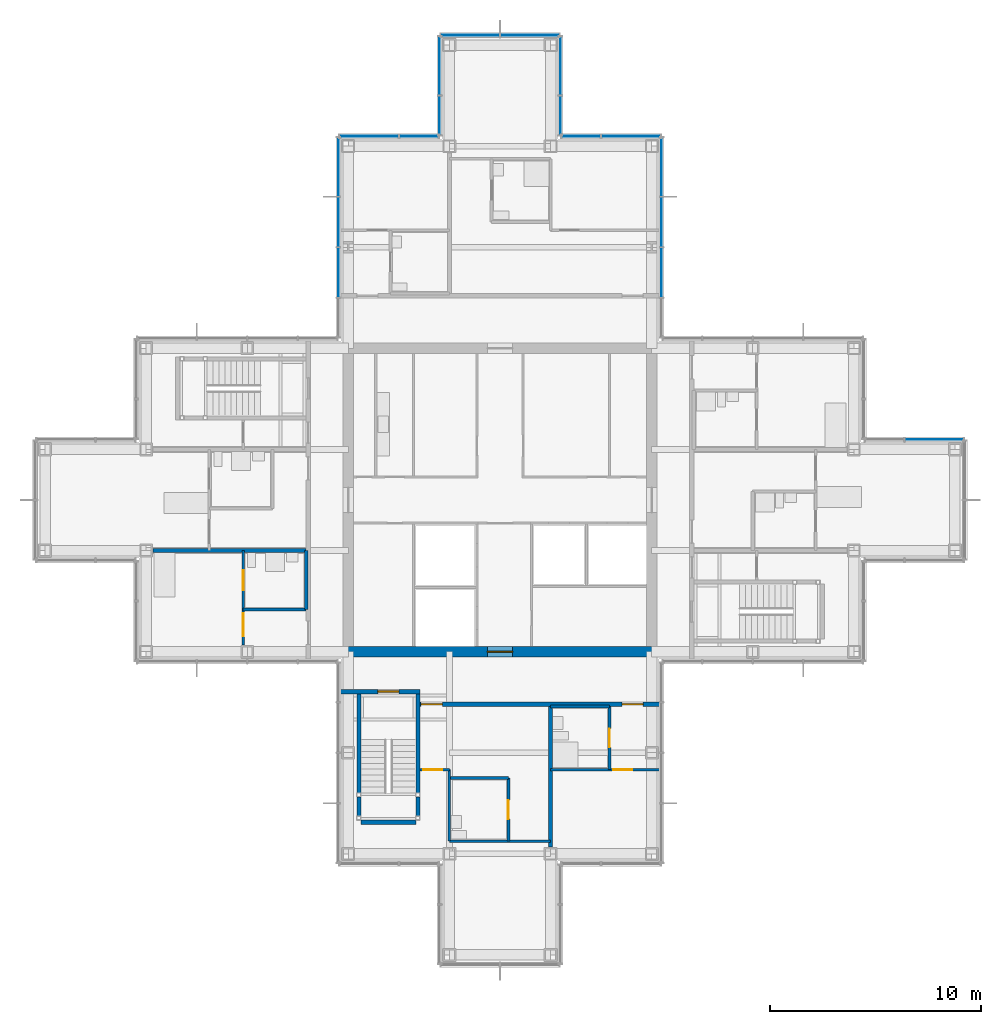
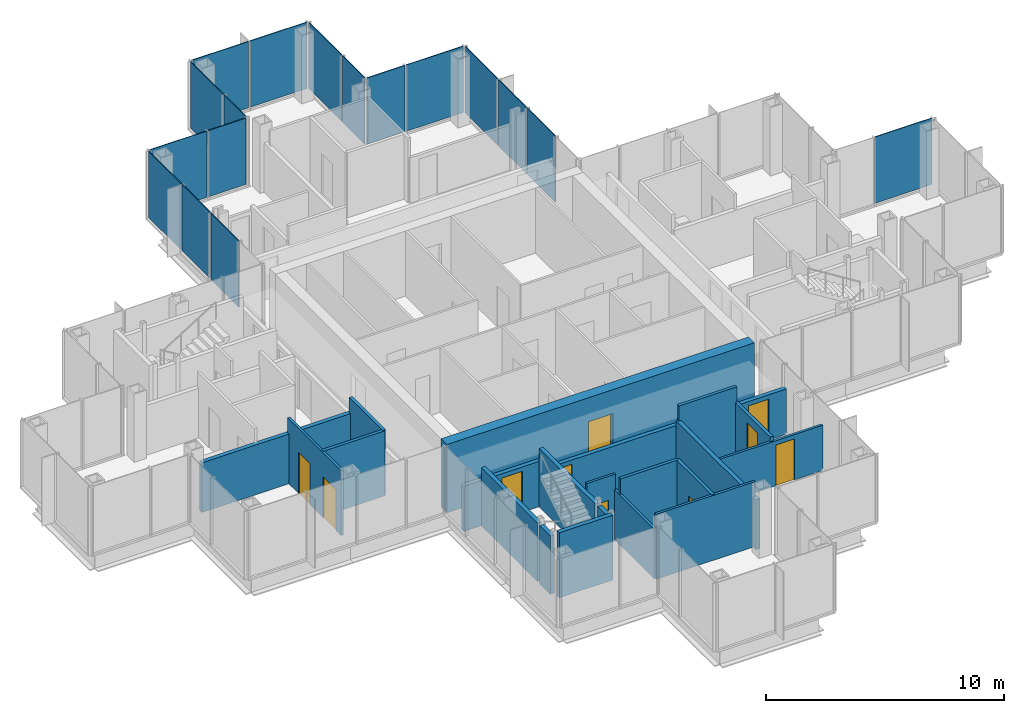
# One storey, part 11 of 17: 21 walls, 17 plates, 10 doors, 10 openings, 8 elements without a shape of their own.
"""IFC4 building model written with IfcOpenShell, lengths in metres."""

from ifc_helpers import new_model, si_unit, direction, frame, frame_2d, origin, origin_2d, place, context, subcontext, project, spatial, rectangle, extrude, material, layer, layer_set, type_object, element, fill, aggregate, save


model = new_model("IFC4")

# Units and contexts
model_context = context("Model", 3, precision=1e-05, world=origin(), true_north=direction((0.0, 1.0)))
body_context = subcontext(model_context, "Body", "Model", "MODEL_VIEW")
ifc_project = project(units=[si_unit("LENGTHUNIT", "METRE"), si_unit("AREAUNIT", "SQUARE_METRE"), si_unit("VOLUMEUNIT", "CUBIC_METRE"), si_unit("PLANEANGLEUNIT", "RADIAN"), si_unit("MASSUNIT", "GRAM", prefix="KILO")], contexts=[model_context])

# Site, building, storey
site_placement = place(None, origin())
site = spatial("IfcSite", under=ifc_project, at=site_placement, CompositionType="ELEMENT")
building_placement = place(site_placement, origin())
building = spatial("IfcBuilding", under=site, at=building_placement, Name="Kvirike Care Tower", CompositionType="ELEMENT")
storey_placement = place(building_placement, frame((0.0, 0.0, 165.5)))
storey = spatial("IfcBuildingStorey", under=building, at=storey_placement, Name="L45", CompositionType="ELEMENT", Elevation=165.5)

# Curtain wall, plate
ifc_material_1 = material(Name="Anodised aluminium stick system", Category="aluminium")
curtain_wall_type = type_object("IfcCurtainWallType", Name="CW-C STICK CURTAIN WALL", PredefinedType="NOTDEFINED", material=ifc_material_1)
curtain_wall_1_placement = place(storey_placement, origin())
curtain_wall_1 = element("IfcCurtainWall", 1, at=curtain_wall_1_placement, inside=storey, type_object=curtain_wall_type, Name="Curtain wall L45 face 5", PredefinedType="NOTDEFINED")
ifc_material_2 = material(Name="Tinted double glazed unit", Category="glass")
ifc_layer_1 = layer(ifc_material_2, 0.0400390625)
ifc_layer_set_1 = layer_set([ifc_layer_1], Name="TINTED VISION PANEL 40")
plate_type = type_object("IfcPlateType", Name="TINTED VISION PANEL 40", PredefinedType="CURTAIN_PANEL", material=ifc_layer_set_1)
plate_1_placement = place(storey_placement, frame((42.21875, 38.8701171875, 0.10009765625), z_axis=(0.0, 0.0, 1.0), x_axis=(-1.0, 0.0, 0.0)))
plate_1 = element("IfcPlate", 2, at=plate_1_placement, type_object=plate_type, Name="CW-C panel L45 face 5.1", PredefinedType="CURTAIN_PANEL", context=body_context, shape_type="SweptSolid", body=[
    extrude(rectangle(XDim=2.7724609375, YDim=0.0400390625, at=origin_2d()), origin(), (0.0, 0.0, 1.0), 3.39990234375),
])
aggregate(curtain_wall_1, [plate_1])

# Curtain wall, plates
curtain_wall_2_placement = place(storey_placement, origin())
curtain_wall_2 = element("IfcCurtainWall", 3, at=curtain_wall_2_placement, inside=storey, type_object=curtain_wall_type, Name="Curtain wall L45 face 8", PredefinedType="NOTDEFINED")
plate_2_placement = place(storey_placement, frame((29.27001953125, 46.800048828125, 0.10009765625), z_axis=(0.0, 0.0, 1.0), x_axis=(0.0, 1.0, 0.0)))
plate_2 = element("IfcPlate", 4, at=plate_2_placement, type_object=plate_type, Name="CW-C panel L45 face 8.2", PredefinedType="CURTAIN_PANEL", context=body_context, shape_type="SweptSolid", body=[
    extrude(rectangle(XDim=2.3349609375, YDim=0.0400390625, at=origin_2d()), origin(), (0.0, 0.0, 1.0), 3.39990234375),
])
plate_3_placement = place(storey_placement, frame((29.27001953125, 49.199951171875, 0.10009765625), z_axis=(0.0, 0.0, 1.0), x_axis=(0.0, 1.0, 0.0)))
plate_3 = element("IfcPlate", 5, at=plate_3_placement, type_object=plate_type, Name="CW-C panel L45 face 8.3", PredefinedType="CURTAIN_PANEL", context=body_context, shape_type="SweptSolid", body=[
    extrude(rectangle(XDim=2.3349609375, YDim=0.0400390625, at=origin_2d()), origin(), (0.0, 0.0, 1.0), 3.39990234375),
])
plate_4_placement = place(storey_placement, frame((29.27001953125, 51.81884765625, 0.10009765625), z_axis=(0.0, 0.0, 1.0), x_axis=(0.0, 1.0, 0.0)))
plate_4 = element("IfcPlate", 6, at=plate_4_placement, type_object=plate_type, Name="CW-C panel L45 face 8.4", PredefinedType="CURTAIN_PANEL", context=body_context, shape_type="SweptSolid", body=[
    extrude(rectangle(XDim=2.7724609375, YDim=0.0400390625, at=origin_2d()), origin(), (0.0, 0.0, 1.0), 3.39990234375),
])
aggregate(curtain_wall_2, [plate_2, plate_3, plate_4])

curtain_wall_3_placement = place(storey_placement, origin())
curtain_wall_3 = element("IfcCurtainWall", 7, at=curtain_wall_3_placement, inside=storey, type_object=curtain_wall_type, Name="Curtain wall L45 face 9", PredefinedType="NOTDEFINED")
plate_5_placement = place(storey_placement, frame((27.81884765625, 53.27001953125, 0.10009765625), z_axis=(0.0, 0.0, 1.0), x_axis=(-1.0, 0.0, 0.0)))
plate_5 = element("IfcPlate", 8, at=plate_5_placement, type_object=plate_type, Name="CW-C panel L45 face 9.1", PredefinedType="CURTAIN_PANEL", context=body_context, shape_type="SweptSolid", body=[
    extrude(rectangle(XDim=2.7724609375, YDim=0.0400390625, at=origin_2d()), origin(), (0.0, 0.0, 1.0), 3.39990234375),
])
plate_6_placement = place(storey_placement, frame((25.451171875, 53.27001953125, 0.10009765625), z_axis=(0.0, 0.0, 1.0), x_axis=(-1.0, 0.0, 0.0)))
plate_6 = element("IfcPlate", 9, at=plate_6_placement, type_object=plate_type, Name="CW-C panel L45 face 9.2", PredefinedType="CURTAIN_PANEL", context=body_context, shape_type="SweptSolid", body=[
    extrude(rectangle(XDim=1.83251953125, YDim=0.0400390625, at=origin_2d()), origin(), (0.0, 0.0, 1.0), 3.39990234375),
])
aggregate(curtain_wall_3, [plate_5, plate_6])

curtain_wall_4_placement = place(storey_placement, origin())
curtain_wall_4 = element("IfcCurtainWall", 10, at=curtain_wall_4_placement, inside=storey, type_object=curtain_wall_type, Name="Curtain wall L45 face 10", PredefinedType="NOTDEFINED")
plate_7_placement = place(storey_placement, frame((24.469970703125, 54.251220703125, 0.10009765625), z_axis=(0.0, 0.0, 1.0), x_axis=(0.0, 1.0, 0.0)))
plate_7 = element("IfcPlate", 11, at=plate_7_placement, type_object=plate_type, Name="CW-C panel L45 face 10.1", PredefinedType="CURTAIN_PANEL", context=body_context, shape_type="SweptSolid", body=[
    extrude(rectangle(XDim=1.83251953125, YDim=0.0400390625, at=origin_2d()), origin(), (0.0, 0.0, 1.0), 3.39990234375),
])
plate_8_placement = place(storey_placement, frame((24.469970703125, 56.61865234375, 0.10009765625), z_axis=(0.0, 0.0, 1.0), x_axis=(0.0, 1.0, 0.0)))
plate_8 = element("IfcPlate", 12, at=plate_8_placement, type_object=plate_type, Name="CW-C panel L45 face 10.2", PredefinedType="CURTAIN_PANEL", context=body_context, shape_type="SweptSolid", body=[
    extrude(rectangle(XDim=2.7724609375, YDim=0.0400390625, at=origin_2d()), origin(), (0.0, 0.0, 1.0), 3.39990234375),
])
aggregate(curtain_wall_4, [plate_7, plate_8])

curtain_wall_5_placement = place(storey_placement, origin())
curtain_wall_5 = element("IfcCurtainWall", 13, at=curtain_wall_5_placement, inside=storey, type_object=curtain_wall_type, Name="Curtain wall L45 face 11", PredefinedType="NOTDEFINED")
plate_9_placement = place(storey_placement, frame((23.018798828125, 58.070068359375, 0.10009765625), z_axis=(0.0, 0.0, 1.0), x_axis=(-1.0, 0.0, 0.0)))
plate_9 = element("IfcPlate", 14, at=plate_9_placement, type_object=plate_type, Name="CW-C panel L45 face 11.1", PredefinedType="CURTAIN_PANEL", context=body_context, shape_type="SweptSolid", body=[
    extrude(rectangle(XDim=2.7724609375, YDim=0.0400390625, at=origin_2d()), origin(), (0.0, 0.0, 1.0), 3.39990234375),
])
plate_10_placement = place(storey_placement, frame((20.18115234375, 58.070068359375, 0.10009765625), z_axis=(0.0, 0.0, 1.0), x_axis=(-1.0, 0.0, 0.0)))
plate_10 = element("IfcPlate", 15, at=plate_10_placement, type_object=plate_type, Name="CW-C panel L45 face 11.2", PredefinedType="CURTAIN_PANEL", context=body_context, shape_type="SweptSolid", body=[
    extrude(rectangle(XDim=2.7724609375, YDim=0.0400390625, at=origin_2d()), origin(), (0.0, 0.0, 1.0), 3.39990234375),
])
aggregate(curtain_wall_5, [plate_9, plate_10])

curtain_wall_6_placement = place(storey_placement, origin())
curtain_wall_6 = element("IfcCurtainWall", 16, at=curtain_wall_6_placement, inside=storey, type_object=curtain_wall_type, Name="Curtain wall L45 face 12", PredefinedType="NOTDEFINED")
plate_11_placement = place(storey_placement, frame((18.72998046875, 56.61865234375, 0.10009765625), z_axis=(0.0, 0.0, 1.0), x_axis=(0.0, -1.0, 0.0)))
plate_11 = element("IfcPlate", 17, at=plate_11_placement, type_object=plate_type, Name="CW-C panel L45 face 12.1", PredefinedType="CURTAIN_PANEL", context=body_context, shape_type="SweptSolid", body=[
    extrude(rectangle(XDim=2.7724609375, YDim=0.0400390625, at=origin_2d()), origin(), (0.0, 0.0, 1.0), 3.39990234375),
])
plate_12_placement = place(storey_placement, frame((18.72998046875, 54.251220703125, 0.10009765625), z_axis=(0.0, 0.0, 1.0), x_axis=(0.0, -1.0, 0.0)))
plate_12 = element("IfcPlate", 18, at=plate_12_placement, type_object=plate_type, Name="CW-C panel L45 face 12.2", PredefinedType="CURTAIN_PANEL", context=body_context, shape_type="SweptSolid", body=[
    extrude(rectangle(XDim=1.83251953125, YDim=0.0400390625, at=origin_2d()), origin(), (0.0, 0.0, 1.0), 3.39990234375),
])
aggregate(curtain_wall_6, [plate_11, plate_12])

curtain_wall_7_placement = place(storey_placement, origin())
curtain_wall_7 = element("IfcCurtainWall", 19, at=curtain_wall_7_placement, inside=storey, type_object=curtain_wall_type, Name="Curtain wall L45 face 13", PredefinedType="NOTDEFINED")
plate_13_placement = place(storey_placement, frame((17.748779296875, 53.27001953125, 0.10009765625), z_axis=(0.0, 0.0, 1.0), x_axis=(-1.0, 0.0, 0.0)))
plate_13 = element("IfcPlate", 20, at=plate_13_placement, type_object=plate_type, Name="CW-C panel L45 face 13.1", PredefinedType="CURTAIN_PANEL", context=body_context, shape_type="SweptSolid", body=[
    extrude(rectangle(XDim=1.83251953125, YDim=0.0400390625, at=origin_2d()), origin(), (0.0, 0.0, 1.0), 3.39990234375),
])
plate_14_placement = place(storey_placement, frame((15.38134765625, 53.27001953125, 0.10009765625), z_axis=(0.0, 0.0, 1.0), x_axis=(-1.0, 0.0, 0.0)))
plate_14 = element("IfcPlate", 21, at=plate_14_placement, type_object=plate_type, Name="CW-C panel L45 face 13.2", PredefinedType="CURTAIN_PANEL", context=body_context, shape_type="SweptSolid", body=[
    extrude(rectangle(XDim=2.7724609375, YDim=0.0400390625, at=origin_2d()), origin(), (0.0, 0.0, 1.0), 3.39990234375),
])
aggregate(curtain_wall_7, [plate_13, plate_14])

curtain_wall_8_placement = place(storey_placement, origin())
curtain_wall_8 = element("IfcCurtainWall", 22, at=curtain_wall_8_placement, inside=storey, type_object=curtain_wall_type, Name="Curtain wall L45 face 14", PredefinedType="NOTDEFINED")
plate_15_placement = place(storey_placement, frame((13.929931640625, 51.81884765625, 0.10009765625), z_axis=(0.0, 0.0, 1.0), x_axis=(0.0, -1.0, 0.0)))
plate_15 = element("IfcPlate", 23, at=plate_15_placement, type_object=plate_type, Name="CW-C panel L45 face 14.1", PredefinedType="CURTAIN_PANEL", context=body_context, shape_type="SweptSolid", body=[
    extrude(rectangle(XDim=2.7724609375, YDim=0.0400390625, at=origin_2d()), origin(), (0.0, 0.0, 1.0), 3.39990234375),
])
plate_16_placement = place(storey_placement, frame((13.929931640625, 49.199951171875, 0.10009765625), z_axis=(0.0, 0.0, 1.0), x_axis=(0.0, -1.0, 0.0)))
plate_16 = element("IfcPlate", 24, at=plate_16_placement, type_object=plate_type, Name="CW-C panel L45 face 14.2", PredefinedType="CURTAIN_PANEL", context=body_context, shape_type="SweptSolid", body=[
    extrude(rectangle(XDim=2.3349609375, YDim=0.0400390625, at=origin_2d()), origin(), (0.0, 0.0, 1.0), 3.39990234375),
])
plate_17_placement = place(storey_placement, frame((13.929931640625, 46.800048828125, 0.10009765625), z_axis=(0.0, 0.0, 1.0), x_axis=(0.0, -1.0, 0.0)))
plate_17 = element("IfcPlate", 25, at=plate_17_placement, type_object=plate_type, Name="CW-C panel L45 face 14.3", PredefinedType="CURTAIN_PANEL", context=body_context, shape_type="SweptSolid", body=[
    extrude(rectangle(XDim=2.3349609375, YDim=0.0400390625, at=origin_2d()), origin(), (0.0, 0.0, 1.0), 3.39990234375),
])
aggregate(curtain_wall_8, [plate_15, plate_16, plate_17])

# Walls
ifc_material_3 = material(Name="Moisture-resistant board partition", Category="gypsum")
ifc_layer_2 = layer(ifc_material_3, 0.14990234375)
ifc_layer_set_2 = layer_set([ifc_layer_2], Name="BATHROOM WALL 150")
wall_type_1 = type_object("IfcWallType", Name="BATHROOM WALL 150", PredefinedType="PARTITIONING", material=ifc_layer_set_2)
wall_1_placement = place(storey_placement, frame((9.39990234375, 30.800048828125, 0.0), z_axis=(0.0, 0.0, 1.0), x_axis=(1.0, 0.0, 0.0)))
element("IfcWall", 26, at=wall_1_placement, inside=storey, type_object=wall_type_1, Name="Bathroom Wall 150 L45", PredefinedType="PARTITIONING", context=body_context, shape_type="SweptSolid", body=[
    extrude(rectangle(XDim=3.0, YDim=0.14990234375, at=frame_2d((1.5, 0.0))), origin(), (0.0, 0.0, 1.0), 3.330078125),
])
wall_2_placement = place(storey_placement, frame((12.39990234375, 33.60009765625, 0.0), z_axis=(0.0, 0.0, 1.0), x_axis=(0.0, -1.0, 0.0)))
element("IfcWall", 27, at=wall_2_placement, inside=storey, type_object=wall_type_1, Name="Bathroom Wall 150 L45", PredefinedType="PARTITIONING", context=body_context, shape_type="SweptSolid", body=[
    extrude(rectangle(XDim=2.800048828125, YDim=0.14990234375, at=frame_2d((1.39990234375, 0.0))), origin(), (0.0, 0.0, 1.0), 3.330078125),
])

# Wall, opening, door
wall_3_placement = place(storey_placement, frame((22.0, 19.800048828125, 0.0), z_axis=(0.0, 0.0, 1.0), x_axis=(0.0, 1.0, 0.0)))
wall_3 = element("IfcWall", 28, at=wall_3_placement, inside=storey, type_object=wall_type_1, Name="Bathroom Wall 150 L45", PredefinedType="PARTITIONING", context=body_context, shape_type="SweptSolid", body=[
    extrude(rectangle(XDim=3.0, YDim=0.14990234375, at=frame_2d((1.5, 0.0))), origin(), (0.0, 0.0, 1.0), 3.330078125),
])
opening_1_placement = place(wall_3_placement, frame((1.050048828125, 0.0, 0.0)))
opening_1 = element("IfcOpeningElement", 29, at=opening_1_placement, cuts=wall_3, Name="Opening 45-011", PredefinedType="OPENING", context=body_context, shape_type="SweptSolid", body=[
    extrude(rectangle(XDim=0.89990234375, YDim=2.10009765625, at=frame_2d((0.449951171875, 1.050048828125))), frame((0.0, 0.08544921875, 0.0), z_axis=(0.0, -1.0, 0.0), x_axis=(1.0, 0.0, 0.0)), (0.0, 0.0, 1.0), 0.1708984375),
])
ifc_material_4 = material(Name="Timber door set", Category="wood")
door_type_1 = type_object("IfcDoorType", Name="BATHROOM DOOR 900", OperationType="SINGLE_SWING_RIGHT", PredefinedType="DOOR", material=ifc_material_4)
door_1_placement = place(opening_1_placement, origin())
door_1 = element("IfcDoor", 30, at=door_1_placement, inside=storey, type_object=door_type_1, Name="Accessible WC door", OperationType="SINGLE_SWING_LEFT", OverallHeight=2.10009765625, OverallWidth=0.89990234375, PredefinedType="DOOR", context=body_context, shape_type="SweptSolid", body=[
    extrude(rectangle(XDim=0.89990234375, YDim=2.10009765625, at=frame_2d((0.449951171875, 1.050048828125))), frame((0.0, 0.02197265625, 0.0), z_axis=(0.0, -1.0, 0.0), x_axis=(1.0, 0.0, 0.0)), (0.0, 0.0, 1.0), 0.0439453125),
])
fill(opening_1, door_1)

# Wall
wall_4_placement = place(storey_placement, frame((19.199951171875, 22.800048828125, 0.0), z_axis=(0.0, 0.0, 1.0), x_axis=(1.0, 0.0, 0.0)))
element("IfcWall", 31, at=wall_4_placement, inside=storey, type_object=wall_type_1, Name="Bathroom Wall 150 L45", PredefinedType="PARTITIONING", context=body_context, shape_type="SweptSolid", body=[
    extrude(rectangle(XDim=2.800048828125, YDim=0.14990234375, at=frame_2d((1.39990234375, 0.0))), origin(), (0.0, 0.0, 1.0), 3.330078125),
])

# Wall, opening, door
wall_5_placement = place(storey_placement, frame((26.800048828125, 23.199951171875, 0.0), z_axis=(0.0, 0.0, 1.0), x_axis=(0.0, 1.0, 0.0)))
wall_5 = element("IfcWall", 32, at=wall_5_placement, inside=storey, type_object=wall_type_1, Name="Bathroom Wall 150 L45", PredefinedType="PARTITIONING", context=body_context, shape_type="SweptSolid", body=[
    extrude(rectangle(XDim=3.0, YDim=0.14990234375, at=frame_2d((1.5, 0.0))), origin(), (0.0, 0.0, 1.0), 2.550048828125),
])
opening_2_placement = place(wall_5_placement, frame((1.050048828125, 0.0, 0.0)))
opening_2 = element("IfcOpeningElement", 33, at=opening_2_placement, cuts=wall_5, Name="Opening 45-013", PredefinedType="OPENING", context=body_context, shape_type="SweptSolid", body=[
    extrude(rectangle(XDim=0.89990234375, YDim=2.10009765625, at=frame_2d((0.449951171875, 1.050048828125))), frame((0.0, 0.08544921875, 0.0), z_axis=(0.0, -1.0, 0.0), x_axis=(1.0, 0.0, 0.0)), (0.0, 0.0, 1.0), 0.1708984375),
])
door_2_placement = place(opening_2_placement, frame((0.89990234375, 0.0, 0.0), z_axis=(0.0, 0.0, 1.0), x_axis=(-1.0, 0.0, 0.0)))
door_2 = element("IfcDoor", 34, at=door_2_placement, inside=storey, type_object=door_type_1, Name="Assisted bathroom door", OperationType="SINGLE_SWING_RIGHT", OverallHeight=2.10009765625, OverallWidth=0.89990234375, PredefinedType="DOOR", context=body_context, shape_type="SweptSolid", body=[
    extrude(rectangle(XDim=0.89990234375, YDim=2.10009765625, at=frame_2d((0.449951171875, 1.050048828125))), frame((0.0, 0.02197265625, 0.0), z_axis=(0.0, -1.0, 0.0), x_axis=(1.0, 0.0, 0.0)), (0.0, 0.0, 1.0), 0.0439453125),
])
fill(opening_2, door_2)

# Wall
wall_6_placement = place(storey_placement, frame((24.0, 26.199951171875, 0.0), z_axis=(0.0, 0.0, 1.0), x_axis=(1.0, 0.0, 0.0)))
element("IfcWall", 35, at=wall_6_placement, inside=storey, type_object=wall_type_1, Name="Bathroom Wall 150 L45", PredefinedType="PARTITIONING", context=body_context, shape_type="SweptSolid", body=[
    extrude(rectangle(XDim=2.800048828125, YDim=0.14990234375, at=frame_2d((1.39990234375, 0.0))), origin(), (0.0, 0.0, 1.0), 3.330078125),
])

# Wall, opening, door
ifc_material_5 = material(Name="Concrete C45/55", Category="concrete")
ifc_layer_3 = layer(ifc_material_5, 0.5)
ifc_layer_set_3 = layer_set([ifc_layer_3], Name="CORE WALL 500 C45-55")
wall_type_2 = type_object("IfcWallType", Name="CORE WALL 500 C45-55", PredefinedType="SHEAR", material=ifc_layer_set_3)
wall_7_placement = place(storey_placement, frame((14.14990234375, 28.800048828125, -0.169921875), z_axis=(0.0, 0.0, 1.0), x_axis=(1.0, 0.0, 0.0)))
wall_7 = element("IfcWall", 36, at=wall_7_placement, inside=storey, type_object=wall_type_2, Name="Core wall S L45", PredefinedType="SHEAR", context=body_context, shape_type="SweptSolid", body=[
    extrude(rectangle(XDim=14.900146484375, YDim=0.5, at=frame_2d((7.4501953125, 0.0))), origin(), (0.0, 0.0, 1.0), 3.5),
])
opening_3_placement = place(wall_7_placement, frame((6.85009765625, 0.0, 0.169921875)))
opening_3 = element("IfcOpeningElement", 37, at=opening_3_placement, cuts=wall_7, Name="Opening 45-045", PredefinedType="OPENING", context=body_context, shape_type="SweptSolid", body=[
    extrude(rectangle(XDim=1.199951171875, YDim=2.10009765625, at=frame_2d((0.60009765625, 1.050048828125))), frame((0.0, 0.260498046875, 0.0), z_axis=(0.0, -1.0, 0.0), x_axis=(1.0, 0.0, 0.0)), (0.0, 0.0, 1.0), 0.52099609375),
])
ifc_material_6 = material(Name="Timber door set", Category="wood")
door_type_2 = type_object("IfcDoorType", Name="CORE DOOR 1200", OperationType="SINGLE_SWING_LEFT", PredefinedType="DOOR", material=ifc_material_6)
door_3_placement = place(opening_3_placement, origin())
door_3 = element("IfcDoor", 38, at=door_3_placement, inside=storey, type_object=door_type_2, Name="Core door S L45", OperationType="SINGLE_SWING_LEFT", OverallHeight=2.10009765625, OverallWidth=1.199951171875, PredefinedType="DOOR", context=body_context, shape_type="SweptSolid", body=[
    extrude(rectangle(XDim=1.199951171875, YDim=2.10009765625, at=frame_2d((0.60009765625, 1.050048828125))), frame((0.0, 0.02685546875, 0.0), z_axis=(0.0, -1.0, 0.0), x_axis=(1.0, 0.0, 0.0)), (0.0, 0.0, 1.0), 0.053955078125),
])
fill(opening_3, door_3)

# Wall, openings, doors
ifc_material_7 = material(Name="Plasterboard corridor wall", Category="gypsum")
ifc_layer_4 = layer(ifc_material_7, 0.199951171875)
ifc_layer_set_4 = layer_set([ifc_layer_4], Name="CORRIDOR WALL 200")
wall_type_3 = type_object("IfcWallType", Name="CORRIDOR WALL 200", PredefinedType="PARTITIONING", material=ifc_layer_set_4)
wall_8_placement = place(storey_placement, frame((17.800048828125, 26.300048828125, 0.0), z_axis=(0.0, 0.0, 1.0), x_axis=(1.0, 0.0, 0.0)))
wall_8 = element("IfcWall", 39, at=wall_8_placement, inside=storey, type_object=wall_type_3, Name="Corridor Wall 200 L45", PredefinedType="PARTITIONING", context=body_context, shape_type="SweptSolid", body=[
    extrude(rectangle(XDim=11.449951171875, YDim=0.199951171875, at=frame_2d((5.72509765625, 0.0))), origin(), (0.0, 0.0, 1.0), 2.320068359375),
])
opening_4_placement = place(wall_8_placement, frame((0.06005859375, 0.0, 0.0)))
opening_4 = element("IfcOpeningElement", 40, at=opening_4_placement, cuts=wall_8, Name="Opening 45-015", PredefinedType="OPENING", context=body_context, shape_type="SweptSolid", body=[
    extrude(rectangle(XDim=1.0, YDim=2.10009765625, at=frame_2d((0.5, 1.050048828125))), frame((0.0, 0.110595703125, 0.0), z_axis=(0.0, -1.0, 0.0), x_axis=(1.0, 0.0, 0.0)), (0.0, 0.0, 1.0), 0.220947265625),
])
opening_5_placement = place(wall_8_placement, frame((9.60009765625, 0.0, 0.0)))
opening_5 = element("IfcOpeningElement", 41, at=opening_5_placement, cuts=wall_8, Name="Opening 45-016", PredefinedType="OPENING", context=body_context, shape_type="SweptSolid", body=[
    extrude(rectangle(XDim=1.0, YDim=2.10009765625, at=frame_2d((0.5, 1.050048828125))), frame((0.0, 0.110595703125, 0.0), z_axis=(0.0, -1.0, 0.0), x_axis=(1.0, 0.0, 0.0)), (0.0, 0.0, 1.0), 0.220947265625),
])
ifc_material_8 = material(Name="Timber door set", Category="wood")
door_type_3 = type_object("IfcDoorType", Name="FLAT ENTRANCE DOOR 1000", OperationType="SINGLE_SWING_LEFT", PredefinedType="DOOR", material=ifc_material_8)
door_4_placement = place(opening_4_placement, frame((1.0, 0.0, 0.0), z_axis=(0.0, 0.0, 1.0), x_axis=(-1.0, 0.0, 0.0)))
door_4 = element("IfcDoor", 42, at=door_4_placement, inside=storey, type_object=door_type_3, Name="Hobby room entrance", OperationType="SINGLE_SWING_LEFT", OverallHeight=2.10009765625, OverallWidth=1.0, PredefinedType="DOOR", context=body_context, shape_type="SweptSolid", body=[
    extrude(rectangle(XDim=1.0, YDim=2.10009765625, at=frame_2d((0.5, 1.050048828125))), frame((0.0, 0.02685546875, 0.0), z_axis=(0.0, -1.0, 0.0), x_axis=(1.0, 0.0, 0.0)), (0.0, 0.0, 1.0), 0.053955078125),
])
fill(opening_4, door_4)
door_5_placement = place(opening_5_placement, frame((1.0, 0.0, 0.0), z_axis=(0.0, 0.0, 1.0), x_axis=(-1.0, 0.0, 0.0)))
door_5 = element("IfcDoor", 43, at=door_5_placement, inside=storey, type_object=door_type_3, Name="Care base entrance", OperationType="SINGLE_SWING_RIGHT", OverallHeight=2.10009765625, OverallWidth=1.0, PredefinedType="DOOR", context=body_context, shape_type="SweptSolid", body=[
    extrude(rectangle(XDim=1.0, YDim=2.10009765625, at=frame_2d((0.5, 1.050048828125))), frame((0.0, 0.02685546875, 0.0), z_axis=(0.0, -1.0, 0.0), x_axis=(1.0, 0.0, 0.0)), (0.0, 0.0, 1.0), 0.053955078125),
])
fill(opening_5, door_5)

ifc_material_9 = material(Name="Plasterboard partition", Category="gypsum")
ifc_layer_5 = layer(ifc_material_9, 0.1201171875)
ifc_layer_set_5 = layer_set([ifc_layer_5], Name="PARTITION 120")
wall_type_4 = type_object("IfcWallType", Name="PARTITION 120", PredefinedType="PARTITIONING", material=ifc_layer_set_5)
wall_9_placement = place(storey_placement, frame((9.39990234375, 33.60009765625, 0.0), z_axis=(0.0, 0.0, 1.0), x_axis=(0.0, -1.0, 0.0)))
wall_9 = element("IfcWall", 44, at=wall_9_placement, inside=storey, type_object=wall_type_4, Name="Partition 120 L45", PredefinedType="PARTITIONING", context=body_context, shape_type="SweptSolid", body=[
    extrude(rectangle(XDim=4.47998046875, YDim=0.1201171875, at=frame_2d((2.239990234375, 0.0))), origin(), (0.0, 0.0, 1.0), 3.330078125),
])
opening_6_placement = place(wall_9_placement, frame((2.97509765625, 0.0, 0.0)))
opening_6 = element("IfcOpeningElement", 45, at=opening_6_placement, cuts=wall_9, Name="Opening 45-004", PredefinedType="OPENING", context=body_context, shape_type="SweptSolid", body=[
    extrude(rectangle(XDim=1.10009765625, YDim=2.10009765625, at=frame_2d((0.550048828125, 1.050048828125))), frame((0.0, 0.070556640625, 0.0), z_axis=(0.0, -1.0, 0.0), x_axis=(1.0, 0.0, 0.0)), (0.0, 0.0, 1.0), 0.14111328125),
])
opening_7_placement = place(wall_9_placement, frame((0.925048828125, 0.0, 0.0)))
opening_7 = element("IfcOpeningElement", 46, at=opening_7_placement, cuts=wall_9, Name="Opening 45-005", PredefinedType="OPENING", context=body_context, shape_type="SweptSolid", body=[
    extrude(rectangle(XDim=0.949951171875, YDim=2.10009765625, at=frame_2d((0.47509765625, 1.050048828125))), frame((0.0, 0.070556640625, 0.0), z_axis=(0.0, -1.0, 0.0), x_axis=(1.0, 0.0, 0.0)), (0.0, 0.0, 1.0), 0.14111328125),
])
ifc_material_10 = material(Name="Timber door set", Category="wood")
door_type_4 = type_object("IfcDoorType", Name="BEDROOM DOOR 1100", OperationType="SINGLE_SWING_LEFT", PredefinedType="DOOR", material=ifc_material_10)
door_6_placement = place(opening_6_placement, origin())
door_6 = element("IfcDoor", 47, at=door_6_placement, inside=storey, type_object=door_type_4, Name="Memory care bedroom door", OperationType="SINGLE_SWING_RIGHT", OverallHeight=2.10009765625, OverallWidth=1.10009765625, PredefinedType="DOOR", context=body_context, shape_type="SweptSolid", body=[
    extrude(rectangle(XDim=1.10009765625, YDim=2.10009765625, at=frame_2d((0.550048828125, 1.050048828125))), frame((0.0, 0.02197265625, 0.0), z_axis=(0.0, -1.0, 0.0), x_axis=(1.0, 0.0, 0.0)), (0.0, 0.0, 1.0), 0.0439453125),
])
fill(opening_6, door_6)
ifc_material_11 = material(Name="Timber door set", Category="wood")
door_type_5 = type_object("IfcDoorType", Name="EN-SUITE SLIDING DOOR 950", OperationType="SLIDING_TO_LEFT", PredefinedType="DOOR", material=ifc_material_11)
door_7_placement = place(opening_7_placement, origin())
door_7 = element("IfcDoor", 48, at=door_7_placement, inside=storey, type_object=door_type_5, Name="En-suite door", OperationType="SLIDING_TO_RIGHT", OverallHeight=2.10009765625, OverallWidth=0.949951171875, PredefinedType="DOOR", context=body_context, shape_type="SweptSolid", body=[
    extrude(rectangle(XDim=0.949951171875, YDim=2.10009765625, at=frame_2d((0.47509765625, 1.050048828125))), frame((0.0, 0.02197265625, 0.0), z_axis=(0.0, -1.0, 0.0), x_axis=(1.0, 0.0, 0.0)), (0.0, 0.0, 1.0), 0.0439453125),
])
fill(opening_7, door_7)

# Wall, opening, door
wall_10_placement = place(storey_placement, frame((17.800048828125, 23.199951171875, 0.0), z_axis=(0.0, 0.0, 1.0), x_axis=(1.0, 0.0, 0.0)))
wall_10 = element("IfcWall", 49, at=wall_10_placement, inside=storey, type_object=wall_type_4, Name="Partition 120 L45", PredefinedType="PARTITIONING", context=body_context, shape_type="SweptSolid", body=[
    extrude(rectangle(XDim=1.39990234375, YDim=0.1201171875, at=frame_2d((0.699951171875, 0.0))), origin(), (0.0, 0.0, 1.0), 3.330078125),
])
opening_8_placement = place(wall_10_placement, frame((0.14990234375, 0.0, 0.0)))
opening_8 = element("IfcOpeningElement", 50, at=opening_8_placement, cuts=wall_10, Name="Opening 45-012", PredefinedType="OPENING", context=body_context, shape_type="SweptSolid", body=[
    extrude(rectangle(XDim=0.89990234375, YDim=2.10009765625, at=frame_2d((0.449951171875, 1.050048828125))), frame((0.0, 0.070556640625, 0.0), z_axis=(0.0, -1.0, 0.0), x_axis=(1.0, 0.0, 0.0)), (0.0, 0.0, 1.0), 0.14111328125),
])
ifc_material_12 = material(Name="Timber door set", Category="wood")
door_type_6 = type_object("IfcDoorType", Name="INTERNAL DOOR 900", OperationType="SINGLE_SWING_LEFT", PredefinedType="DOOR", material=ifc_material_12)
door_8_placement = place(opening_8_placement, origin())
door_8 = element("IfcDoor", 51, at=door_8_placement, inside=storey, type_object=door_type_6, Name="Hobby room door", OperationType="SINGLE_SWING_RIGHT", OverallHeight=2.10009765625, OverallWidth=0.89990234375, PredefinedType="DOOR", context=body_context, shape_type="SweptSolid", body=[
    extrude(rectangle(XDim=0.89990234375, YDim=2.10009765625, at=frame_2d((0.449951171875, 1.050048828125))), frame((0.0, 0.02197265625, 0.0), z_axis=(0.0, -1.0, 0.0), x_axis=(1.0, 0.0, 0.0)), (0.0, 0.0, 1.0), 0.0439453125),
])
fill(opening_8, door_8)

# Walls
wall_11_placement = place(storey_placement, frame((19.199951171875, 19.800048828125, 0.0), z_axis=(0.0, 0.0, 1.0), x_axis=(1.0, 0.0, 0.0)))
element("IfcWall", 52, at=wall_11_placement, inside=storey, type_object=wall_type_4, Name="Partition 120 L45", PredefinedType="PARTITIONING", context=body_context, shape_type="SweptSolid", body=[
    extrude(rectangle(XDim=4.800048828125, YDim=0.1201171875, at=frame_2d((2.39990234375, 0.0))), origin(), (0.0, 0.0, 1.0), 3.330078125),
])
wall_12_placement = place(storey_placement, frame((19.199951171875, 19.800048828125, 0.0), z_axis=(0.0, 0.0, 1.0), x_axis=(0.0, 1.0, 0.0)))
element("IfcWall", 53, at=wall_12_placement, inside=storey, type_object=wall_type_4, Name="Partition 120 L45", PredefinedType="PARTITIONING", context=body_context, shape_type="SweptSolid", body=[
    extrude(rectangle(XDim=3.39990234375, YDim=0.1201171875, at=frame_2d((1.699951171875, 0.0))), origin(), (0.0, 0.0, 1.0), 2.550048828125),
])

# Wall, opening, door
wall_13_placement = place(storey_placement, frame((24.0, 23.199951171875, 0.0), z_axis=(0.0, 0.0, 1.0), x_axis=(1.0, 0.0, 0.0)))
wall_13 = element("IfcWall", 54, at=wall_13_placement, inside=storey, type_object=wall_type_4, Name="Partition 120 L45", PredefinedType="PARTITIONING", context=body_context, shape_type="SweptSolid", body=[
    extrude(rectangle(XDim=5.25, YDim=0.1201171875, at=frame_2d((2.625, 0.0))), origin(), (0.0, 0.0, 1.0), 2.320068359375),
])
opening_9_placement = place(wall_13_placement, frame((2.97509765625, 0.0, 0.0)))
opening_9 = element("IfcOpeningElement", 55, at=opening_9_placement, cuts=wall_13, Name="Opening 45-014", PredefinedType="OPENING", context=body_context, shape_type="SweptSolid", body=[
    extrude(rectangle(XDim=0.89990234375, YDim=2.10009765625, at=frame_2d((0.449951171875, 1.050048828125))), frame((0.0, 0.070556640625, 0.0), z_axis=(0.0, -1.0, 0.0), x_axis=(1.0, 0.0, 0.0)), (0.0, 0.0, 1.0), 0.14111328125),
])
door_9_placement = place(opening_9_placement, origin())
door_9 = element("IfcDoor", 56, at=door_9_placement, inside=storey, type_object=door_type_6, Name="Quiet room door", OperationType="SINGLE_SWING_RIGHT", OverallHeight=2.10009765625, OverallWidth=0.89990234375, PredefinedType="DOOR", context=body_context, shape_type="SweptSolid", body=[
    extrude(rectangle(XDim=0.89990234375, YDim=2.10009765625, at=frame_2d((0.449951171875, 1.050048828125))), frame((0.0, 0.02197265625, 0.0), z_axis=(0.0, -1.0, 0.0), x_axis=(1.0, 0.0, 0.0)), (0.0, 0.0, 1.0), 0.0439453125),
])
fill(opening_9, door_9)

# Walls
ifc_material_13 = material(Name="Plasterboard party wall", Category="gypsum")
ifc_layer_6 = layer(ifc_material_13, 0.199951171875)
ifc_layer_set_6 = layer_set([ifc_layer_6], Name="PARTY WALL 200")
wall_type_5 = type_object("IfcWallType", Name="PARTY WALL 200", PredefinedType="PARTITIONING", material=ifc_layer_set_6)
wall_14_placement = place(storey_placement, frame((5.1201171875, 33.60009765625, 0.0), z_axis=(0.0, 0.0, 1.0), x_axis=(1.0, 0.0, 0.0)))
element("IfcWall", 57, at=wall_14_placement, inside=storey, type_object=wall_type_5, Name="Party Wall 200 L45", PredefinedType="PARTITIONING", context=body_context, shape_type="SweptSolid", body=[
    extrude(rectangle(XDim=7.27978515625, YDim=0.199951171875, at=frame_2d((3.639892578125, 0.0))), origin(), (0.0, 0.0, 1.0), 2.550048828125),
])
wall_15_placement = place(storey_placement, frame((24.0, 19.52001953125, 0.0), z_axis=(0.0, 0.0, 1.0), x_axis=(0.0, 1.0, 0.0)))
element("IfcWall", 58, at=wall_15_placement, inside=storey, type_object=wall_type_5, Name="Party Wall 200 L45", PredefinedType="PARTITIONING", context=body_context, shape_type="SweptSolid", body=[
    extrude(rectangle(XDim=6.679931640625, YDim=0.199951171875, at=frame_2d((3.33984375, 0.0))), origin(), (0.0, 0.0, 1.0), 2.550048828125),
])
ifc_material_14 = material(Name="Concrete C40/50", Category="concrete")
ifc_layer_7 = layer(ifc_material_14, 0.199951171875)
ifc_layer_set_7 = layer_set([ifc_layer_7], Name="STAIR WALL 200")
wall_type_6 = type_object("IfcWallType", Name="STAIR WALL 200", PredefinedType="SOLIDWALL", material=ifc_layer_set_7)
wall_16_placement = place(storey_placement, frame((14.89990234375, 21.0, 0.0), z_axis=(0.0, 0.0, 1.0), x_axis=(0.0, 1.0, 0.0)))
element("IfcWall", 59, at=wall_16_placement, inside=storey, type_object=wall_type_6, Name="Stair Wall 200 L45", PredefinedType="SOLIDWALL", context=body_context, shape_type="SweptSolid", body=[
    extrude(rectangle(XDim=0.89990234375, YDim=0.199951171875, at=frame_2d((0.449951171875, 0.0))), origin(), (0.0, 0.0, 1.0), 2.989990234375),
])
wall_17_placement = place(storey_placement, frame((14.89990234375, 22.10009765625, 0.0), z_axis=(0.0, 0.0, 1.0), x_axis=(0.0, 1.0, 0.0)))
element("IfcWall", 60, at=wall_17_placement, inside=storey, type_object=wall_type_6, Name="Stair Wall 200 L45", PredefinedType="SOLIDWALL", context=body_context, shape_type="SweptSolid", body=[
    extrude(rectangle(XDim=4.699951171875, YDim=0.199951171875, at=frame_2d((2.35009765625, 0.0))), origin(), (0.0, 0.0, 1.0), 2.989990234375),
])
wall_18_placement = place(storey_placement, frame((17.699951171875, 21.0, 0.0), z_axis=(0.0, 0.0, 1.0), x_axis=(0.0, 1.0, 0.0)))
element("IfcWall", 61, at=wall_18_placement, inside=storey, type_object=wall_type_6, Name="Stair Wall 200 L45", PredefinedType="SOLIDWALL", context=body_context, shape_type="SweptSolid", body=[
    extrude(rectangle(XDim=0.89990234375, YDim=0.199951171875, at=frame_2d((0.449951171875, 0.0))), origin(), (0.0, 0.0, 1.0), 2.989990234375),
])
wall_19_placement = place(storey_placement, frame((17.699951171875, 22.10009765625, 0.0), z_axis=(0.0, 0.0, 1.0), x_axis=(0.0, 1.0, 0.0)))
element("IfcWall", 62, at=wall_19_placement, inside=storey, type_object=wall_type_6, Name="Stair Wall 200 L45", PredefinedType="SOLIDWALL", context=body_context, shape_type="SweptSolid", body=[
    extrude(rectangle(XDim=4.699951171875, YDim=0.199951171875, at=frame_2d((2.35009765625, 0.0))), origin(), (0.0, 0.0, 1.0), 2.989990234375),
])
wall_20_placement = place(storey_placement, frame((15.0, 20.699951171875, 0.0), z_axis=(0.0, 0.0, 1.0), x_axis=(1.0, 0.0, 0.0)))
element("IfcWall", 63, at=wall_20_placement, inside=storey, type_object=wall_type_6, Name="Stair Wall 200 L45", PredefinedType="SOLIDWALL", context=body_context, shape_type="SweptSolid", body=[
    extrude(rectangle(XDim=2.60009765625, YDim=0.199951171875, at=frame_2d((1.300048828125, 0.0))), origin(), (0.0, 0.0, 1.0), 3.330078125),
])

# Wall, opening, door
wall_21_placement = place(storey_placement, frame((13.949951171875, 26.89990234375, 0.0), z_axis=(0.0, 0.0, 1.0), x_axis=(1.0, 0.0, 0.0)))
wall_21 = element("IfcWall", 64, at=wall_21_placement, inside=storey, type_object=wall_type_6, Name="Stair Wall 200 L45", PredefinedType="SOLIDWALL", context=body_context, shape_type="SweptSolid", body=[
    extrude(rectangle(XDim=3.85009765625, YDim=0.199951171875, at=frame_2d((1.925048828125, 0.0))), origin(), (0.0, 0.0, 1.0), 2.320068359375),
])
opening_10_placement = place(wall_21_placement, frame((1.85009765625, 0.0, 0.0)))
opening_10 = element("IfcOpeningElement", 65, at=opening_10_placement, cuts=wall_21, Name="Opening 45-010", PredefinedType="OPENING", context=body_context, shape_type="SweptSolid", body=[
    extrude(rectangle(XDim=1.0, YDim=2.10009765625, at=frame_2d((0.5, 1.050048828125))), frame((0.0, 0.110595703125, 0.0), z_axis=(0.0, -1.0, 0.0), x_axis=(1.0, 0.0, 0.0)), (0.0, 0.0, 1.0), 0.220947265625),
])
ifc_material_15 = material(Name="Timber door set", Category="wood")
door_type_7 = type_object("IfcDoorType", Name="STAIR DOOR 1000", OperationType="SINGLE_SWING_LEFT", PredefinedType="DOOR", material=ifc_material_15)
door_10_placement = place(opening_10_placement, frame((1.0, 0.0, 0.0), z_axis=(0.0, 0.0, 1.0), x_axis=(-1.0, 0.0, 0.0)))
door_10 = element("IfcDoor", 66, at=door_10_placement, inside=storey, type_object=door_type_7, Name="Stair 5 door", OperationType="SINGLE_SWING_RIGHT", OverallHeight=2.10009765625, OverallWidth=1.0, PredefinedType="DOOR", context=body_context, shape_type="SweptSolid", body=[
    extrude(rectangle(XDim=1.0, YDim=2.10009765625, at=frame_2d((0.5, 1.050048828125))), frame((0.0, 0.031982421875, 0.0), z_axis=(0.0, -1.0, 0.0), x_axis=(1.0, 0.0, 0.0)), (0.0, 0.0, 1.0), 0.06396484375),
])
fill(opening_10, door_10)

save(model, "model.ifc")
